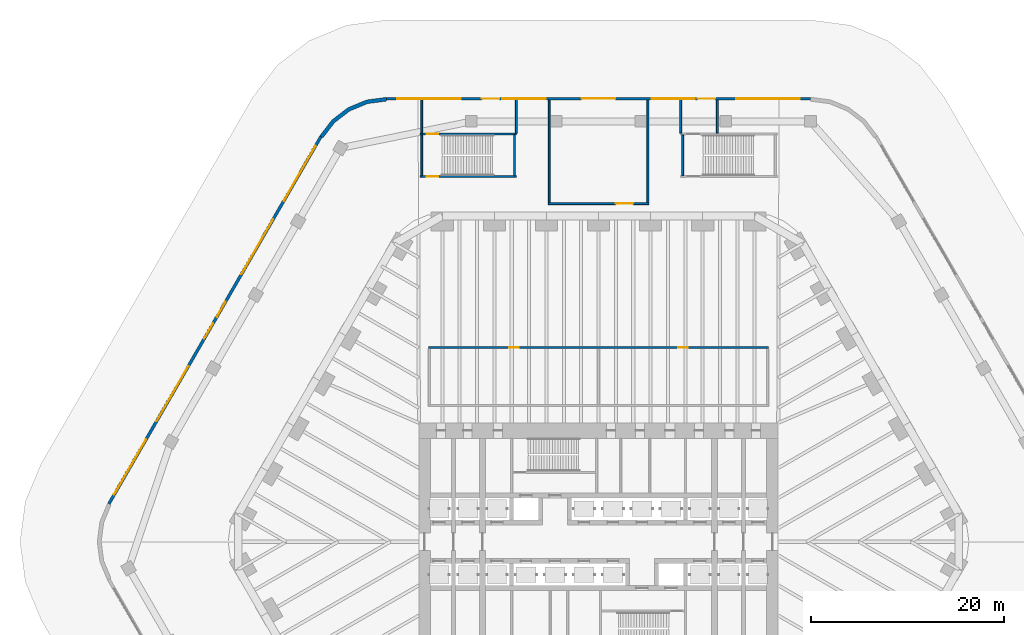
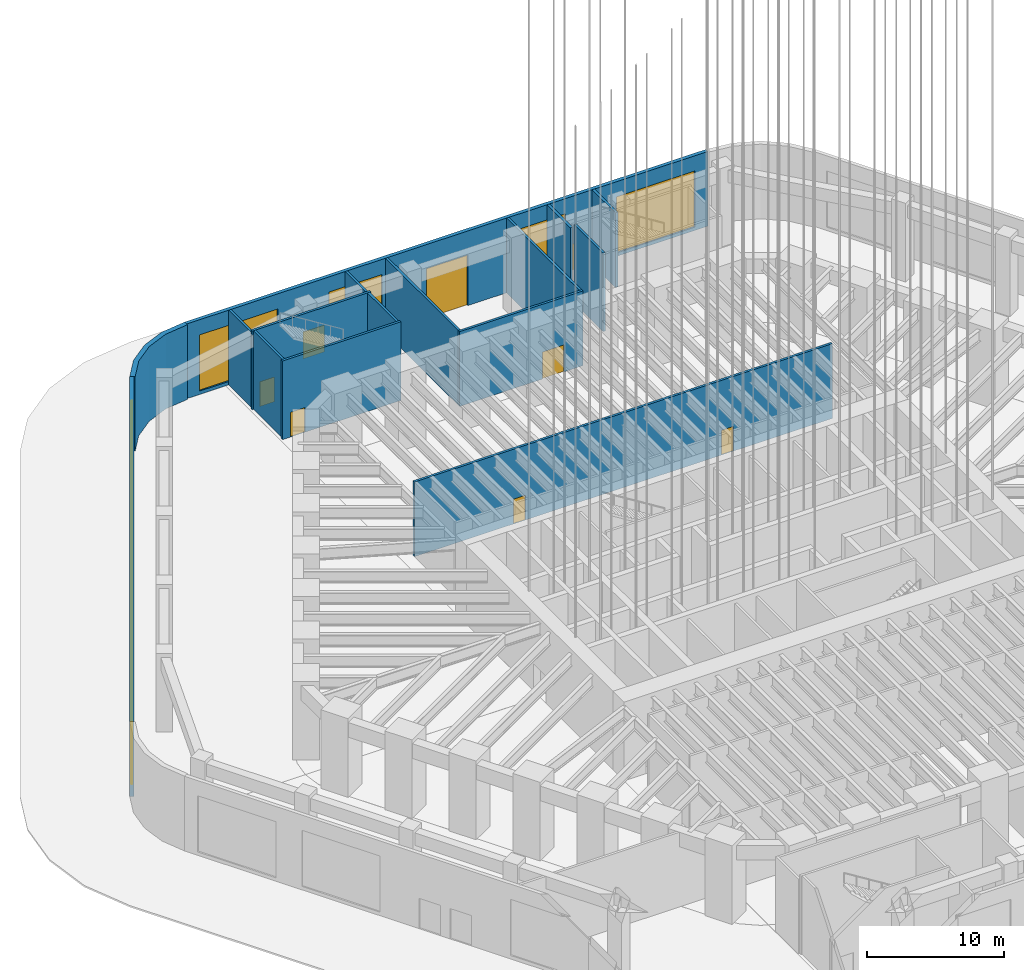
# One storey, part 10 of 23: 16 walls, 10 doors, 8 windows, 18 openings.
"""IFC4 building model written with IfcOpenShell, lengths in metres."""

from ifc_helpers import new_model, si_unit, direction, frame, frame_2d, origin, place, context, subcontext, project, spatial, polyline, rectangle, outline, extrude, material, layer, layer_set, type_object, element, fill, save


model = new_model("IFC4")

# Units and contexts
model_context = context("Model", 3, precision=1e-05, world=origin(), true_north=direction((0.0, 1.0)))
body_context = subcontext(model_context, "Body", "Model", "MODEL_VIEW")
ifc_project = project(units=[si_unit("LENGTHUNIT", "METRE"), si_unit("AREAUNIT", "SQUARE_METRE"), si_unit("VOLUMEUNIT", "CUBIC_METRE"), si_unit("PLANEANGLEUNIT", "RADIAN"), si_unit("MASSUNIT", "GRAM", prefix="KILO")], contexts=[model_context])

# Site, building, storey
site_placement = place(None, origin())
site = spatial("IfcSite", under=ifc_project, at=site_placement, CompositionType="ELEMENT")
building_placement = place(site_placement, origin())
building = spatial("IfcBuilding", under=site, at=building_placement, Name="Tarfa Lantern Tower", CompositionType="ELEMENT")
storey_placement = place(building_placement, origin())
storey = spatial("IfcBuildingStorey", under=building, at=storey_placement, Name="L00", CompositionType="ELEMENT", Elevation=0.0)

# Wall, openings, doors, windows
ifc_material_1 = material(Name="Limestone cladding on blockwork", Category="masonry")
ifc_layer_1 = layer(ifc_material_1, 0.300048828125)
ifc_layer_set_1 = layer_set([ifc_layer_1], Name="EW1 STONE-CLAD WALL 300")
wall_type_1 = type_object("IfcWallType", Name="EW1 STONE-CLAD WALL 300", PredefinedType="SOLIDWALL", material=ifc_layer_set_1)
wall_1_placement = place(storey_placement, frame((21.939208984375, 45.85009765625, 0.0), z_axis=(0.0, 0.0, 1.0), x_axis=(-1.0, 0.0, 0.0)))
wall_1 = element("IfcWall", 1, at=wall_1_placement, inside=storey, type_object=wall_type_1, Name="Podium wall N", PredefinedType="SOLIDWALL", context=body_context, shape_type="SweptSolid", body=[
    extrude(rectangle(XDim=43.87841796875, YDim=0.300048828125, at=frame_2d((21.939208984375, 0.0))), origin(), (0.0, 0.0, 1.0), 6.64990234375),
])
opening_1_placement = place(wall_1_placement, frame((1.099853515625, 0.0, 0.300048828125)))
opening_1 = element("IfcOpeningElement", 2, at=opening_1_placement, cuts=wall_1, Name="Opening W1", PredefinedType="OPENING", context=body_context, shape_type="SweptSolid", body=[
    extrude(rectangle(XDim=6.575927734375, YDim=5.0, at=frame_2d((3.2880859375, 2.5))), frame((0.0, 0.159912109375, 0.0), z_axis=(0.0, -1.0, 0.0), x_axis=(1.0, 0.0, 0.0)), (0.0, 0.0, 1.0), 0.320068359375),
])
opening_2_placement = place(wall_1_placement, frame((9.87548828125, 0.0, 0.0)))
opening_2 = element("IfcOpeningElement", 3, at=opening_2_placement, cuts=wall_1, Name="Opening D58", PredefinedType="OPENING", context=body_context, shape_type="SweptSolid", body=[
    extrude(rectangle(XDim=1.800048828125, YDim=2.39990234375, at=frame_2d((0.89990234375, 1.199951171875))), frame((0.0, 0.159912109375, 0.0), z_axis=(0.0, -1.0, 0.0), x_axis=(1.0, 0.0, 0.0)), (0.0, 0.0, 1.0), 0.320068359375),
])
opening_3_placement = place(wall_1_placement, frame((11.9755859375, 0.0, 0.300048828125)))
opening_3 = element("IfcOpeningElement", 4, at=opening_3_placement, cuts=wall_1, Name="Opening W1A", PredefinedType="OPENING", context=body_context, shape_type="SweptSolid", body=[
    extrude(rectangle(XDim=4.47607421875, YDim=5.0, at=frame_2d((2.238037109375, 2.5))), frame((0.0, 0.159912109375, 0.0), z_axis=(0.0, -1.0, 0.0), x_axis=(1.0, 0.0, 0.0)), (0.0, 0.0, 1.0), 0.320068359375),
])
opening_4_placement = place(wall_1_placement, frame((20.189208984375, 0.0, 0.0)))
opening_4 = element("IfcOpeningElement", 5, at=opening_4_placement, cuts=wall_1, Name="Opening D43", PredefinedType="OPENING", context=body_context, shape_type="SweptSolid", body=[
    extrude(rectangle(XDim=3.5, YDim=4.5, at=frame_2d((1.75, 2.25))), frame((0.0, 0.159912109375, 0.0), z_axis=(0.0, -1.0, 0.0), x_axis=(1.0, 0.0, 0.0)), (0.0, 0.0, 1.0), 0.320068359375),
])
opening_5_placement = place(wall_1_placement, frame((32.203125, 0.0, 0.0)))
opening_5 = element("IfcOpeningElement", 6, at=opening_5_placement, cuts=wall_1, Name="Opening D59", PredefinedType="OPENING", context=body_context, shape_type="SweptSolid", body=[
    extrude(rectangle(XDim=1.800048828125, YDim=2.39990234375, at=frame_2d((0.89990234375, 1.199951171875))), frame((0.0, 0.159912109375, 0.0), z_axis=(0.0, -1.0, 0.0), x_axis=(1.0, 0.0, 0.0)), (0.0, 0.0, 1.0), 0.320068359375),
])
opening_6_placement = place(wall_1_placement, frame((27.427001953125, 0.0, 0.300048828125)))
opening_6 = element("IfcOpeningElement", 7, at=opening_6_placement, cuts=wall_1, Name="Opening W1A", PredefinedType="OPENING", context=body_context, shape_type="SweptSolid", body=[
    extrude(rectangle(XDim=4.47607421875, YDim=5.0, at=frame_2d((2.238037109375, 2.5))), frame((0.0, 0.159912109375, 0.0), z_axis=(0.0, -1.0, 0.0), x_axis=(1.0, 0.0, 0.0)), (0.0, 0.0, 1.0), 0.320068359375),
])
opening_7_placement = place(wall_1_placement, frame((36.20263671875, 0.0, 0.300048828125)))
opening_7 = element("IfcOpeningElement", 8, at=opening_7_placement, cuts=wall_1, Name="Opening W1", PredefinedType="OPENING", context=body_context, shape_type="SweptSolid", body=[
    extrude(rectangle(XDim=6.575927734375, YDim=5.0, at=frame_2d((3.2880859375, 2.5))), frame((0.0, 0.159912109375, 0.0), z_axis=(0.0, -1.0, 0.0), x_axis=(1.0, 0.0, 0.0)), (0.0, 0.0, 1.0), 0.320068359375),
])
ifc_material_2 = material(Name="Aluminium framed glazed door", Category="aluminium")
door_type_1 = type_object("IfcDoorType", Name="RE2 ROLLER SHUTTER 3500x4500", OperationType="ROLLINGUP", PredefinedType="DOOR", material=ifc_material_2)
door_1_placement = place(opening_4_placement, origin())
door_1 = element("IfcDoor", 9, at=door_1_placement, inside=storey, type_object=door_type_1, Name="Loading bay roller shutter", OperationType="ROLLINGUP", OverallHeight=4.5, OverallWidth=3.5, PredefinedType="DOOR", context=body_context, shape_type="SweptSolid", body=[
    extrude(rectangle(XDim=3.5, YDim=4.5, at=frame_2d((1.75, 2.25))), frame((0.0, 0.02490234375, 0.0), z_axis=(0.0, -1.0, 0.0), x_axis=(1.0, 0.0, 0.0)), (0.0, 0.0, 1.0), 0.050048828125),
])
fill(opening_4, door_1)
ifc_material_3 = material(Name="Aluminium frame, double glazed", Category="aluminium")
window_type_1 = type_object("IfcWindowType", Name="W1 SHOPFRONT GLAZING 6576x5000", PartitioningType="SINGLE_PANEL", PredefinedType="WINDOW", material=ifc_material_3)
window_1_placement = place(opening_1_placement, origin())
window_1 = element("IfcWindow", 10, at=window_1_placement, inside=storey, type_object=window_type_1, Name="Shopfront N 1", OverallHeight=5.0, OverallWidth=6.575927734375, PartitioningType="SINGLE_PANEL", PredefinedType="WINDOW", context=body_context, shape_type="SweptSolid", body=[
    extrude(rectangle(XDim=6.575927734375, YDim=5.0, at=frame_2d((3.2880859375, 2.5))), frame((0.0, 0.030029296875, 0.0), z_axis=(0.0, -1.0, 0.0), x_axis=(1.0, 0.0, 0.0)), (0.0, 0.0, 1.0), 0.06005859375),
])
fill(opening_1, window_1)
window_2_placement = place(opening_7_placement, origin())
window_2 = element("IfcWindow", 11, at=window_2_placement, inside=storey, type_object=window_type_1, Name="Shopfront N 5", OverallHeight=5.0, OverallWidth=6.575927734375, PartitioningType="SINGLE_PANEL", PredefinedType="WINDOW", context=body_context, shape_type="SweptSolid", body=[
    extrude(rectangle(XDim=6.575927734375, YDim=5.0, at=frame_2d((3.2880859375, 2.5))), frame((0.0, 0.030029296875, 0.0), z_axis=(0.0, -1.0, 0.0), x_axis=(1.0, 0.0, 0.0)), (0.0, 0.0, 1.0), 0.06005859375),
])
fill(opening_7, window_2)
window_type_2 = type_object("IfcWindowType", Name="W1A SHOPFRONT GLAZING 4476x5000", PartitioningType="SINGLE_PANEL", PredefinedType="WINDOW", material=ifc_material_3)
window_3_placement = place(opening_3_placement, origin())
window_3 = element("IfcWindow", 12, at=window_3_placement, inside=storey, type_object=window_type_2, Name="Shopfront N 2", OverallHeight=5.0, OverallWidth=4.47607421875, PartitioningType="SINGLE_PANEL", PredefinedType="WINDOW", context=body_context, shape_type="SweptSolid", body=[
    extrude(rectangle(XDim=4.47607421875, YDim=5.0, at=frame_2d((2.238037109375, 2.5))), frame((0.0, 0.030029296875, 0.0), z_axis=(0.0, -1.0, 0.0), x_axis=(1.0, 0.0, 0.0)), (0.0, 0.0, 1.0), 0.06005859375),
])
fill(opening_3, window_3)
window_4_placement = place(opening_6_placement, origin())
window_4 = element("IfcWindow", 13, at=window_4_placement, inside=storey, type_object=window_type_2, Name="Shopfront N 4", OverallHeight=5.0, OverallWidth=4.47607421875, PartitioningType="SINGLE_PANEL", PredefinedType="WINDOW", context=body_context, shape_type="SweptSolid", body=[
    extrude(rectangle(XDim=4.47607421875, YDim=5.0, at=frame_2d((2.238037109375, 2.5))), frame((0.0, 0.030029296875, 0.0), z_axis=(0.0, -1.0, 0.0), x_axis=(1.0, 0.0, 0.0)), (0.0, 0.0, 1.0), 0.06005859375),
])
fill(opening_6, window_4)
door_type_2 = type_object("IfcDoorType", Name="XE1 EXIT DOOR 1800x2400", OperationType="DOUBLE_DOOR_SINGLE_SWING", PredefinedType="DOOR", material=ifc_material_2)
door_2_placement = place(opening_2_placement, frame((1.800048828125, 0.0, 0.0), z_axis=(0.0, 0.0, 1.0), x_axis=(-1.0, 0.0, 0.0)))
door_2 = element("IfcDoor", 14, at=door_2_placement, inside=storey, type_object=door_type_2, Name="Stair exit door", OperationType="DOUBLE_DOOR_SINGLE_SWING", OverallHeight=2.39990234375, OverallWidth=1.800048828125, PredefinedType="DOOR", context=body_context, shape_type="SweptSolid", body=[
    extrude(rectangle(XDim=1.800048828125, YDim=2.39990234375, at=frame_2d((0.89990234375, 1.199951171875))), frame((0.0, 0.02490234375, 0.0), z_axis=(0.0, -1.0, 0.0), x_axis=(1.0, 0.0, 0.0)), (0.0, 0.0, 1.0), 0.050048828125),
])
fill(opening_2, door_2)
door_3_placement = place(opening_5_placement, frame((1.800048828125, 0.0, 0.0), z_axis=(0.0, 0.0, 1.0), x_axis=(-1.0, 0.0, 0.0)))
door_3 = element("IfcDoor", 15, at=door_3_placement, inside=storey, type_object=door_type_2, Name="Stair exit door", OperationType="DOUBLE_DOOR_SINGLE_SWING", OverallHeight=2.39990234375, OverallWidth=1.800048828125, PredefinedType="DOOR", context=body_context, shape_type="SweptSolid", body=[
    extrude(rectangle(XDim=1.800048828125, YDim=2.39990234375, at=frame_2d((0.89990234375, 1.199951171875))), frame((0.0, 0.02490234375, 0.0), z_axis=(0.0, -1.0, 0.0), x_axis=(1.0, 0.0, 0.0)), (0.0, 0.0, 1.0), 0.050048828125),
])
fill(opening_5, door_3)

wall_2_placement = place(storey_placement, frame((-28.737548828125, 41.925048828125, 0.0), z_axis=(0.0, 0.0, 1.0), x_axis=(-0.500002442456, -0.866023993627, 0.0)))
wall_2 = element("IfcWall", 16, at=wall_2_placement, inside=storey, type_object=wall_type_1, Name="Podium wall NW", PredefinedType="SOLIDWALL", context=body_context, shape_type="SweptSolid", body=[
    extrude(rectangle(XDim=43.878662109375, YDim=0.300048828125, at=frame_2d((21.939453125, 0.0))), origin(), (0.0, 0.0, 1.0), 6.64990234375),
])
opening_8_placement = place(wall_2_placement, frame((1.099853515625, 0.0, 0.300048828125)))
opening_8 = element("IfcOpeningElement", 17, at=opening_8_placement, cuts=wall_2, Name="Opening W1", PredefinedType="OPENING", context=body_context, shape_type="SweptSolid", body=[
    extrude(rectangle(XDim=6.575927734375, YDim=5.0, at=frame_2d((3.2880859375, 2.5))), frame((0.0, 0.159912109375, 0.0), z_axis=(0.0, -1.0, 0.0), x_axis=(1.0, 0.0, 0.0)), (0.0, 0.0, 1.0), 0.320068359375),
])
opening_9_placement = place(wall_2_placement, frame((9.87548828125, 0.0, 0.300048828125)))
opening_9 = element("IfcOpeningElement", 18, at=opening_9_placement, cuts=wall_2, Name="Opening W1", PredefinedType="OPENING", context=body_context, shape_type="SweptSolid", body=[
    extrude(rectangle(XDim=6.575927734375, YDim=5.0, at=frame_2d((3.2880859375, 2.5))), frame((0.0, 0.159912109375, 0.0), z_axis=(0.0, -1.0, 0.0), x_axis=(1.0, 0.0, 0.0)), (0.0, 0.0, 1.0), 0.320068359375),
])
opening_10_placement = place(wall_2_placement, frame((19.7392578125, 0.0, 0.0)))
opening_10 = element("IfcOpeningElement", 19, at=opening_10_placement, cuts=wall_2, Name="Opening D46", PredefinedType="OPENING", context=body_context, shape_type="SweptSolid", body=[
    extrude(rectangle(XDim=1.800048828125, YDim=2.699951171875, at=frame_2d((0.89990234375, 1.35009765625))), frame((0.0, 0.159912109375, 0.0), z_axis=(0.0, -1.0, 0.0), x_axis=(1.0, 0.0, 0.0)), (0.0, 0.0, 1.0), 0.320068359375),
])
opening_11_placement = place(wall_2_placement, frame((22.33935546875, 0.0, 0.0)))
opening_11 = element("IfcOpeningElement", 20, at=opening_11_placement, cuts=wall_2, Name="Opening D47", PredefinedType="OPENING", context=body_context, shape_type="SweptSolid", body=[
    extrude(rectangle(XDim=1.800048828125, YDim=2.699951171875, at=frame_2d((0.89990234375, 1.35009765625))), frame((0.0, 0.159912109375, 0.0), z_axis=(0.0, -1.0, 0.0), x_axis=(1.0, 0.0, 0.0)), (0.0, 0.0, 1.0), 0.320068359375),
])
opening_12_placement = place(wall_2_placement, frame((27.427001953125, 0.0, 0.300048828125)))
opening_12 = element("IfcOpeningElement", 21, at=opening_12_placement, cuts=wall_2, Name="Opening W1", PredefinedType="OPENING", context=body_context, shape_type="SweptSolid", body=[
    extrude(rectangle(XDim=6.575927734375, YDim=5.0, at=frame_2d((3.2880859375, 2.5))), frame((0.0, 0.159912109375, 0.0), z_axis=(0.0, -1.0, 0.0), x_axis=(1.0, 0.0, 0.0)), (0.0, 0.0, 1.0), 0.320068359375),
])
opening_13_placement = place(wall_2_placement, frame((36.20263671875, 0.0, 0.300048828125)))
opening_13 = element("IfcOpeningElement", 22, at=opening_13_placement, cuts=wall_2, Name="Opening W1", PredefinedType="OPENING", context=body_context, shape_type="SweptSolid", body=[
    extrude(rectangle(XDim=6.575927734375, YDim=5.0, at=frame_2d((3.2880859375, 2.5))), frame((0.0, 0.159912109375, 0.0), z_axis=(0.0, -1.0, 0.0), x_axis=(1.0, 0.0, 0.0)), (0.0, 0.0, 1.0), 0.320068359375),
])
door_type_3 = type_object("IfcDoorType", Name="EE1 ENTRANCE DOOR 1800x2700", OperationType="DOUBLE_DOOR_SINGLE_SWING", PredefinedType="DOOR", material=ifc_material_2)
door_4_placement = place(opening_10_placement, origin())
door_4 = element("IfcDoor", 23, at=door_4_placement, inside=storey, type_object=door_type_3, Name="Entrance door NW 1", OperationType="DOUBLE_DOOR_SINGLE_SWING", OverallHeight=2.699951171875, OverallWidth=1.800048828125, PredefinedType="DOOR", context=body_context, shape_type="SweptSolid", body=[
    extrude(rectangle(XDim=1.800048828125, YDim=2.699951171875, at=frame_2d((0.89990234375, 1.35009765625))), frame((0.0, 0.02490234375, 0.0), z_axis=(0.0, -1.0, 0.0), x_axis=(1.0, 0.0, 0.0)), (0.0, 0.0, 1.0), 0.050048828125),
])
fill(opening_10, door_4)
door_5_placement = place(opening_11_placement, origin())
door_5 = element("IfcDoor", 24, at=door_5_placement, inside=storey, type_object=door_type_3, Name="Entrance door NW 2", OperationType="DOUBLE_DOOR_SINGLE_SWING", OverallHeight=2.699951171875, OverallWidth=1.800048828125, PredefinedType="DOOR", context=body_context, shape_type="SweptSolid", body=[
    extrude(rectangle(XDim=1.800048828125, YDim=2.699951171875, at=frame_2d((0.89990234375, 1.35009765625))), frame((0.0, 0.02490234375, 0.0), z_axis=(0.0, -1.0, 0.0), x_axis=(1.0, 0.0, 0.0)), (0.0, 0.0, 1.0), 0.050048828125),
])
fill(opening_11, door_5)
window_5_placement = place(opening_8_placement, origin())
window_5 = element("IfcWindow", 25, at=window_5_placement, inside=storey, type_object=window_type_1, Name="Shopfront NW 1", OverallHeight=5.0, OverallWidth=6.575927734375, PartitioningType="SINGLE_PANEL", PredefinedType="WINDOW", context=body_context, shape_type="SweptSolid", body=[
    extrude(rectangle(XDim=6.575927734375, YDim=5.0, at=frame_2d((3.2880859375, 2.5))), frame((0.0, 0.030029296875, 0.0), z_axis=(0.0, -1.0, 0.0), x_axis=(1.0, 0.0, 0.0)), (0.0, 0.0, 1.0), 0.06005859375),
])
fill(opening_8, window_5)
window_6_placement = place(opening_9_placement, origin())
window_6 = element("IfcWindow", 26, at=window_6_placement, inside=storey, type_object=window_type_1, Name="Shopfront NW 2", OverallHeight=5.0, OverallWidth=6.575927734375, PartitioningType="SINGLE_PANEL", PredefinedType="WINDOW", context=body_context, shape_type="SweptSolid", body=[
    extrude(rectangle(XDim=6.575927734375, YDim=5.0, at=frame_2d((3.2880859375, 2.5))), frame((0.0, 0.030029296875, 0.0), z_axis=(0.0, -1.0, 0.0), x_axis=(1.0, 0.0, 0.0)), (0.0, 0.0, 1.0), 0.06005859375),
])
fill(opening_9, window_6)
window_7_placement = place(opening_12_placement, origin())
window_7 = element("IfcWindow", 27, at=window_7_placement, inside=storey, type_object=window_type_1, Name="Shopfront NW 4", OverallHeight=5.0, OverallWidth=6.575927734375, PartitioningType="SINGLE_PANEL", PredefinedType="WINDOW", context=body_context, shape_type="SweptSolid", body=[
    extrude(rectangle(XDim=6.575927734375, YDim=5.0, at=frame_2d((3.2880859375, 2.5))), frame((0.0, 0.030029296875, 0.0), z_axis=(0.0, -1.0, 0.0), x_axis=(1.0, 0.0, 0.0)), (0.0, 0.0, 1.0), 0.06005859375),
])
fill(opening_12, window_7)
window_8_placement = place(opening_13_placement, origin())
window_8 = element("IfcWindow", 28, at=window_8_placement, inside=storey, type_object=window_type_1, Name="Shopfront NW 5", OverallHeight=5.0, OverallWidth=6.575927734375, PartitioningType="SINGLE_PANEL", PredefinedType="WINDOW", context=body_context, shape_type="SweptSolid", body=[
    extrude(rectangle(XDim=6.575927734375, YDim=5.0, at=frame_2d((3.2880859375, 2.5))), frame((0.0, 0.030029296875, 0.0), z_axis=(0.0, -1.0, 0.0), x_axis=(1.0, 0.0, 0.0)), (0.0, 0.0, 1.0), 0.06005859375),
])
fill(opening_13, window_8)

# Walls
ifc_layer_2 = layer(ifc_material_1, 0.39990234375)
ifc_layer_set_2 = layer_set([ifc_layer_2], Name="EW2 CURVED STONE CORNER 400")
wall_type_2 = type_object("IfcWallType", Name="EW2 CURVED STONE CORNER 400", PredefinedType="SOLIDWALL", material=ifc_layer_set_2)
wall_3_placement = place(storey_placement, origin())
element("IfcWall", 29, at=wall_3_placement, inside=storey, type_object=wall_type_2, Name="Stone corner N-NW", PredefinedType="SOLIDWALL", context=body_context, shape_type="SweptSolid", body=[
    extrude(outline(polyline([(-21.939208984375, 46.0), (-24.009765625, 45.727294921875), (-25.939208984375, 44.92822265625), (-27.59619140625, 43.65673828125), (-28.867431640625, 42.0), (-28.52099609375, 41.800048828125), (-27.313232421875, 43.3740234375), (-25.7392578125, 44.581787109375), (-23.90625, 45.341064453125), (-21.939208984375, 45.60009765625), (-21.939208984375, 46.0)])), origin(), (0.0, 0.0, 1.0), 6.64990234375),
])
ifc_material_4 = material(Name="Concrete blockwork", Category="masonry")
ifc_layer_3 = layer(ifc_material_4, 0.199951171875)
ifc_layer_set_3 = layer_set([ifc_layer_3], Name="IW1 BLOCKWORK PARTITION 200 EI 120")
wall_type_3 = type_object("IfcWallType", Name="IW1 BLOCKWORK PARTITION 200 EI 120", PredefinedType="PARTITIONING", material=ifc_layer_set_3)
for number, where, z_axis, x_axis, name in (
    (30, (12.300048828125, 45.699951171875, 0.0), (0.0, 0.0, 1.0), (0.0, -1.0, 0.0), "Fire-rated partition"),
    (31, (8.5, 45.699951171875, 0.0), (0.0, 0.0, 1.0), (0.0, -1.0, 0.0), "Fire-rated partition"),
    (32, (-18.300048828125, 45.699951171875, 0.0), (0.0, 0.0, 1.0), (0.0, -1.0, 0.0), "Fire-rated partition"),
    (33, (-8.5, 45.699951171875, 0.0), (0.0, 0.0, 1.0), (0.0, -1.0, 0.0), "Fire-rated partition"),
):
    element("IfcWall", number, at=place(storey_placement, frame(where, z_axis=z_axis, x_axis=x_axis)), inside=storey, type_object=wall_type_3, Name=name, PredefinedType="PARTITIONING", context=body_context, shape_type="SweptSolid", body=[
        extrude(rectangle(XDim=3.39990234375, YDim=0.199951171875, at=frame_2d((1.699951171875, 0.0))), origin(), (0.0, 0.0, 1.0), 6.64990234375),
    ])

# Wall, openings, doors
ifc_material_5 = material(Name="Gypsum board on steel studs", Category="steel")
ifc_layer_4 = layer(ifc_material_5, 0.2099609375)
ifc_layer_set_4 = layer_set([ifc_layer_4], Name="IW2 ACOUSTIC PARTITION 200")
wall_type_4 = type_object("IfcWallType", Name="IW2 ACOUSTIC PARTITION 200", PredefinedType="PARTITIONING", material=ifc_layer_set_4)
wall_4_placement = place(storey_placement, frame((-17.60009765625, 20.10009765625, 0.0), z_axis=(0.0, 0.0, 1.0), x_axis=(1.0, 0.0, 0.0)))
wall_4 = element("IfcWall", 34, at=wall_4_placement, inside=storey, type_object=wall_type_4, Name="Partition", PredefinedType="PARTITIONING", context=body_context, shape_type="SweptSolid", body=[
    extrude(rectangle(XDim=35.2001953125, YDim=0.199951171875, at=frame_2d((17.60009765625, 0.0))), origin(), (0.0, 0.0, 1.0), 6.64990234375),
])
opening_14_placement = place(wall_4_placement, frame((8.35009765625, 0.0, 0.0)))
opening_14 = element("IfcOpeningElement", 35, at=opening_14_placement, cuts=wall_4, Name="Opening D38", PredefinedType="OPENING", context=body_context, shape_type="SweptSolid", body=[
    extrude(rectangle(XDim=1.0, YDim=2.199951171875, at=frame_2d((0.5, 1.10009765625))), frame((0.0, 0.10986328125, 0.0), z_axis=(0.0, -1.0, 0.0), x_axis=(1.0, 0.0, 0.0)), (0.0, 0.0, 1.0), 0.219970703125),
])
opening_15_placement = place(wall_4_placement, frame((25.85009765625, 0.0, 0.0)))
opening_15 = element("IfcOpeningElement", 36, at=opening_15_placement, cuts=wall_4, Name="Opening D39", PredefinedType="OPENING", context=body_context, shape_type="SweptSolid", body=[
    extrude(rectangle(XDim=1.0, YDim=2.199951171875, at=frame_2d((0.5, 1.10009765625))), frame((0.0, 0.10986328125, 0.0), z_axis=(0.0, -1.0, 0.0), x_axis=(1.0, 0.0, 0.0)), (0.0, 0.0, 1.0), 0.219970703125),
])
ifc_material_6 = material(Name="Timber door", Category="wood")
door_type_4 = type_object("IfcDoorType", Name="DR1 ROOM DOOR 1000x2200", OperationType="SINGLE_SWING_LEFT", PredefinedType="DOOR", material=ifc_material_6)
door_6_placement = place(opening_14_placement, frame((1.0, 0.0, 0.0), z_axis=(0.0, 0.0, 1.0), x_axis=(-1.0, 0.0, 0.0)))
door_6 = element("IfcDoor", 37, at=door_6_placement, inside=storey, type_object=door_type_4, Name="Mail room door", OperationType="SINGLE_SWING_LEFT", OverallHeight=2.199951171875, OverallWidth=1.0, PredefinedType="DOOR", context=body_context, shape_type="SweptSolid", body=[
    extrude(rectangle(XDim=1.0, YDim=2.199951171875, at=frame_2d((0.5, 1.10009765625))), frame((0.0, 0.02490234375, 0.0), z_axis=(0.0, -1.0, 0.0), x_axis=(1.0, 0.0, 0.0)), (0.0, 0.0, 1.0), 0.050048828125),
])
fill(opening_14, door_6)
door_7_placement = place(opening_15_placement, frame((1.0, 0.0, 0.0), z_axis=(0.0, 0.0, 1.0), x_axis=(-1.0, 0.0, 0.0)))
door_7 = element("IfcDoor", 38, at=door_7_placement, inside=storey, type_object=door_type_4, Name="Facilities office door", OperationType="SINGLE_SWING_RIGHT", OverallHeight=2.199951171875, OverallWidth=1.0, PredefinedType="DOOR", context=body_context, shape_type="SweptSolid", body=[
    extrude(rectangle(XDim=1.0, YDim=2.199951171875, at=frame_2d((0.5, 1.10009765625))), frame((0.0, 0.02490234375, 0.0), z_axis=(0.0, -1.0, 0.0), x_axis=(1.0, 0.0, 0.0)), (0.0, 0.0, 1.0), 0.050048828125),
])
fill(opening_15, door_7)

# Wall, opening, door
wall_5_placement = place(storey_placement, frame((-5.199951171875, 35.0, 0.0), z_axis=(0.0, 0.0, 1.0), x_axis=(1.0, 0.0, 0.0)))
wall_5 = element("IfcWall", 39, at=wall_5_placement, inside=storey, type_object=wall_type_4, Name="Partition", PredefinedType="PARTITIONING", context=body_context, shape_type="SweptSolid", body=[
    extrude(rectangle(XDim=10.39990234375, YDim=0.199951171875, at=frame_2d((5.199951171875, 0.0))), origin(), (0.0, 0.0, 1.0), 6.64990234375),
])
opening_16_placement = place(wall_5_placement, frame((7.0, 0.0, 0.0)))
opening_16 = element("IfcOpeningElement", 40, at=opening_16_placement, cuts=wall_5, Name="Opening D34", PredefinedType="OPENING", context=body_context, shape_type="SweptSolid", body=[
    extrude(rectangle(XDim=1.800048828125, YDim=2.39990234375, at=frame_2d((0.89990234375, 1.199951171875))), frame((0.0, 0.10986328125, 0.0), z_axis=(0.0, -1.0, 0.0), x_axis=(1.0, 0.0, 0.0)), (0.0, 0.0, 1.0), 0.219970703125),
])
door_type_5 = type_object("IfcDoorType", Name="DR2 ROOM DOOR 1800x2400", OperationType="DOUBLE_DOOR_SINGLE_SWING", PredefinedType="DOOR", material=ifc_material_6)
door_8_placement = place(opening_16_placement, origin())
door_8 = element("IfcDoor", 41, at=door_8_placement, inside=storey, type_object=door_type_5, Name="Loading bay door", OperationType="DOUBLE_DOOR_SINGLE_SWING", OverallHeight=2.39990234375, OverallWidth=1.800048828125, PredefinedType="DOOR", context=body_context, shape_type="SweptSolid", body=[
    extrude(rectangle(XDim=1.800048828125, YDim=2.39990234375, at=frame_2d((0.89990234375, 1.199951171875))), frame((0.0, 0.02490234375, 0.0), z_axis=(0.0, -1.0, 0.0), x_axis=(1.0, 0.0, 0.0)), (0.0, 0.0, 1.0), 0.050048828125),
])
fill(opening_16, door_8)

# Walls
for number, where, z_axis, x_axis, name in (
    (42, (-5.10009765625, 35.10009765625, 0.0), (0.0, 0.0, 1.0), (0.0, 1.0, 0.0), "Partition"),
    (43, (5.10009765625, 35.10009765625, 0.0), (0.0, 0.0, 1.0), (0.0, 1.0, 0.0), "Partition"),
):
    element("IfcWall", number, at=place(storey_placement, frame(where, z_axis=z_axis, x_axis=x_axis)), inside=storey, type_object=wall_type_4, Name=name, PredefinedType="PARTITIONING", context=body_context, shape_type="SweptSolid", body=[
        extrude(rectangle(XDim=10.599853515625, YDim=0.199951171875, at=frame_2d((5.2998046875, 0.0))), origin(), (0.0, 0.0, 1.0), 6.64990234375),
    ])
ifc_material_7 = material(Name="Concrete C80/95", Category="concrete")
ifc_layer_5 = layer(ifc_material_7, 0.199951171875)
ifc_layer_set_5 = layer_set([ifc_layer_5], Name="SW12 CORE WALL 200")
wall_type_5 = type_object("IfcWallType", Name="SW12 CORE WALL 200", PredefinedType="SHEAR", material=ifc_layer_set_5)
wall_6_placement = place(storey_placement, frame((8.699951171875, 42.10009765625, 0.0), z_axis=(0.0, 0.0, 1.0), x_axis=(0.0, -1.0, 0.0)))
element("IfcWall", 44, at=wall_6_placement, inside=storey, type_object=wall_type_5, Name="Stair ST3 shaft wall", PredefinedType="SHEAR", context=body_context, shape_type="SweptSolid", body=[
    extrude(rectangle(XDim=4.2001953125, YDim=0.199951171875, at=frame_2d((2.10009765625, 0.0))), origin(), (0.0, 0.0, 1.0), 7.0),
])

# Wall, opening, door
wall_7_placement = place(storey_placement, frame((-18.5, 37.800048828125, 0.0), z_axis=(0.0, 0.0, 1.0), x_axis=(1.0, 0.0, 0.0)))
wall_7 = element("IfcWall", 45, at=wall_7_placement, inside=storey, type_object=wall_type_5, Name="Stair ST4 shaft wall", PredefinedType="SHEAR", context=body_context, shape_type="SweptSolid", body=[
    extrude(rectangle(XDim=10.0, YDim=0.199951171875, at=frame_2d((5.0, 0.0))), origin(), (0.0, 0.0, 1.0), 7.0),
])
opening_17_placement = place(wall_7_placement, frame((0.699951171875, 0.0, 0.0)))
opening_17 = element("IfcOpeningElement", 46, at=opening_17_placement, cuts=wall_7, Name="Opening D30", PredefinedType="OPENING", context=body_context, shape_type="SweptSolid", body=[
    extrude(rectangle(XDim=1.199951171875, YDim=2.199951171875, at=frame_2d((0.60009765625, 1.10009765625))), frame((0.0, 0.10986328125, 0.0), z_axis=(0.0, -1.0, 0.0), x_axis=(1.0, 0.0, 0.0)), (0.0, 0.0, 1.0), 0.219970703125),
])
ifc_material_8 = material(Name="Steel fire door", Category="steel")
door_type_6 = type_object("IfcDoorType", Name="DF9 STAIR DOOR 1200x2200", OperationType="SINGLE_SWING_LEFT", PredefinedType="DOOR", material=ifc_material_8)
door_9_placement = place(opening_17_placement, origin())
door_9 = element("IfcDoor", 47, at=door_9_placement, inside=storey, type_object=door_type_6, Name="Stair door", OperationType="SINGLE_SWING_RIGHT", OverallHeight=2.199951171875, OverallWidth=1.199951171875, PredefinedType="DOOR", context=body_context, shape_type="SweptSolid", body=[
    extrude(rectangle(XDim=1.199951171875, YDim=2.199951171875, at=frame_2d((0.60009765625, 1.10009765625))), frame((0.0, 0.02490234375, 0.0), z_axis=(0.0, -1.0, 0.0), x_axis=(1.0, 0.0, 0.0)), (0.0, 0.0, 1.0), 0.050048828125),
])
fill(opening_17, door_9)

wall_8_placement = place(storey_placement, frame((-8.5, 42.199951171875, 0.0), z_axis=(0.0, 0.0, 1.0), x_axis=(-1.0, 0.0, 0.0)))
wall_8 = element("IfcWall", 48, at=wall_8_placement, inside=storey, type_object=wall_type_5, Name="Stair ST4 shaft wall", PredefinedType="SHEAR", context=body_context, shape_type="SweptSolid", body=[
    extrude(rectangle(XDim=10.0, YDim=0.199951171875, at=frame_2d((5.0, 0.0))), origin(), (0.0, 0.0, 1.0), 7.0),
])
opening_18_placement = place(wall_8_placement, frame((8.10009765625, 0.0, 0.0)))
opening_18 = element("IfcOpeningElement", 49, at=opening_18_placement, cuts=wall_8, Name="Opening D55", PredefinedType="OPENING", context=body_context, shape_type="SweptSolid", body=[
    extrude(rectangle(XDim=1.199951171875, YDim=2.199951171875, at=frame_2d((0.60009765625, 1.10009765625))), frame((0.0, 0.10986328125, 0.0), z_axis=(0.0, -1.0, 0.0), x_axis=(1.0, 0.0, 0.0)), (0.0, 0.0, 1.0), 0.219970703125),
])
door_10_placement = place(opening_18_placement, frame((1.199951171875, 0.0, 0.0), z_axis=(0.0, 0.0, 1.0), x_axis=(-1.0, 0.0, 0.0)))
door_10 = element("IfcDoor", 50, at=door_10_placement, inside=storey, type_object=door_type_6, Name="Stair door", OperationType="SINGLE_SWING_RIGHT", OverallHeight=2.199951171875, OverallWidth=1.199951171875, PredefinedType="DOOR", context=body_context, shape_type="SweptSolid", body=[
    extrude(rectangle(XDim=1.199951171875, YDim=2.199951171875, at=frame_2d((0.60009765625, 1.10009765625))), frame((0.0, 0.02490234375, 0.0), z_axis=(0.0, -1.0, 0.0), x_axis=(1.0, 0.0, 0.0)), (0.0, 0.0, 1.0), 0.050048828125),
])
fill(opening_18, door_10)

# Walls
for number, where, z_axis, x_axis, name in (
    (51, (-18.300048828125, 42.10009765625, 0.0), (0.0, 0.0, 1.0), (0.0, -1.0, 0.0), "Stair ST4 shaft wall"),
    (52, (-8.699951171875, 37.89990234375, 0.0), (0.0, 0.0, 1.0), (0.0, 1.0, 0.0), "Stair ST4 shaft wall"),
):
    element("IfcWall", number, at=place(storey_placement, frame(where, z_axis=z_axis, x_axis=x_axis)), inside=storey, type_object=wall_type_5, Name=name, PredefinedType="SHEAR", context=body_context, shape_type="SweptSolid", body=[
        extrude(rectangle(XDim=4.2001953125, YDim=0.199951171875, at=frame_2d((2.10009765625, 0.0))), origin(), (0.0, 0.0, 1.0), 7.0),
    ])

save(model, "model.ifc")
